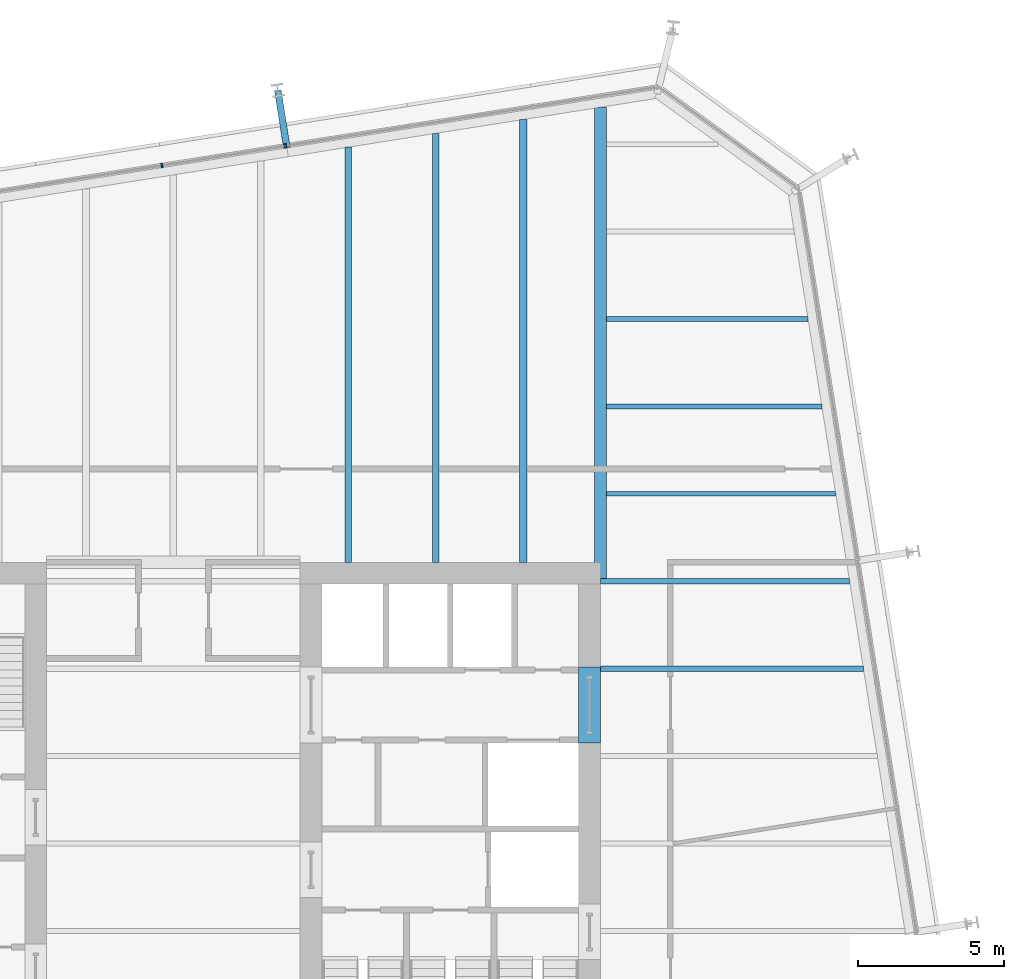
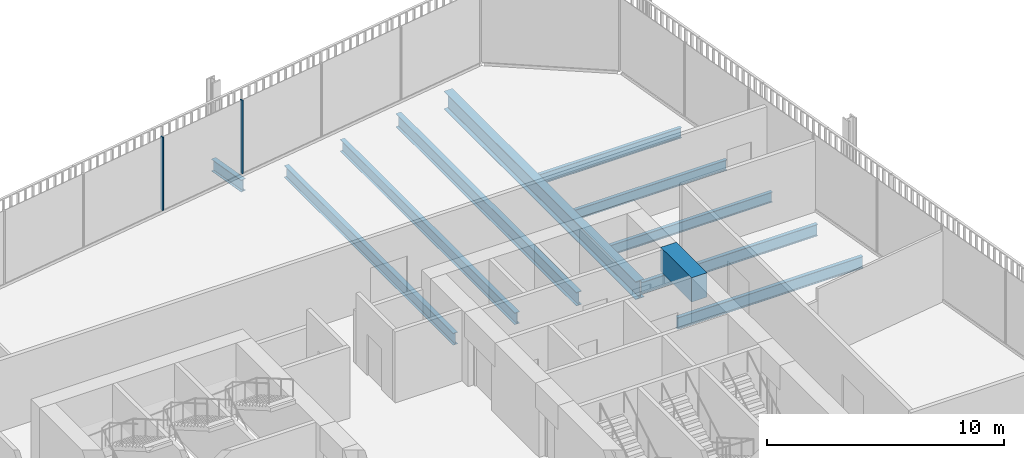
# One storey, part 13 of 21: 11 beams, 2 members, 1 element without a shape of its own.
"""IFC4 building model written with IfcOpenShell, lengths in metres."""

from ifc_helpers import new_model, si_unit, direction, frame, origin, origin_2d, place, context, subcontext, project, spatial, rectangle, i_section, extrude, material, layer, layer_set, material_profile, profile_set, type_object, element, aggregate, save


model = new_model("IFC4")

# Units and contexts
model_context = context("Model", 3, precision=1e-05, world=origin(), true_north=direction((0.0, 1.0)))
body_context = subcontext(model_context, "Body", "Model", "MODEL_VIEW")
ifc_project = project(units=[si_unit("LENGTHUNIT", "METRE"), si_unit("AREAUNIT", "SQUARE_METRE"), si_unit("VOLUMEUNIT", "CUBIC_METRE"), si_unit("PLANEANGLEUNIT", "RADIAN"), si_unit("MASSUNIT", "GRAM", prefix="KILO")], contexts=[model_context])

# Site, building, storey
site_placement = place(None, origin())
site = spatial("IfcSite", under=ifc_project, at=site_placement, CompositionType="ELEMENT")
building_placement = place(site_placement, origin())
building = spatial("IfcBuilding", under=site, at=building_placement, Name="Millrace Tower", CompositionType="ELEMENT")
storey_placement = place(building_placement, frame((0.0, 0.0, 191.699951171875)))
storey = spatial("IfcBuildingStorey", under=building, at=storey_placement, Name="L43", CompositionType="ELEMENT", Elevation=191.699951171875)

# Curtain wall, members
ifc_material_1 = material(Name="Aluminium and glass", Category="aluminium")
ifc_layer = layer(ifc_material_1, 0.14990234375)
ifc_layer_set = layer_set([ifc_layer], Name="Aluminium and glass")
curtain_wall_type = type_object("IfcCurtainWallType", Name="CW-1 office vision curtain wall", PredefinedType="NOTDEFINED", material=ifc_layer_set)
curtain_wall_placement = place(storey_placement, origin())
curtain_wall = element("IfcCurtainWall", 1, at=curtain_wall_placement, inside=storey, type_object=curtain_wall_type, Name="Curtain wall C-F06 L43", PredefinedType="NOTDEFINED")
ifc_material_2 = material(Name="Aluminium", Category="aluminium")
ifc_material_profile_1 = material_profile(ifc_material_2, rectangle(XDim=0.06494140625, YDim=0.14990234375, at=origin_2d()))
ifc_profile_set_1 = profile_set([ifc_material_profile_1], Name="Aluminium")
member_type = type_object("IfcMemberType", Name="CW-1 office vision curtain wall mullion", PredefinedType="MULLION", material=ifc_profile_set_1)
member_1_placement = place(storey_placement, frame((3.8505859375, 23.938720703125, 0.14013671875), z_axis=(0.0, 0.0, 1.0), x_axis=(-0.98768833929, -0.15643447328, 0.0)))
member_1 = element("IfcMember", 2, at=member_1_placement, type_object=member_type, Name="CW1 mullion C-F06.4", PredefinedType="MULLION", context=body_context, shape_type="SweptSolid", body=[
    extrude(rectangle(XDim=0.06494140625, YDim=0.14990234375, at=origin_2d()), origin(), (0.0, 0.0, 1.0), 3.760009765625),
])
member_2_placement = place(storey_placement, frame((-0.396484375, 23.26611328125, 0.14013671875), z_axis=(0.0, 0.0, 1.0), x_axis=(-0.98768833929, -0.15643447328, 0.0)))
member_2 = element("IfcMember", 3, at=member_2_placement, type_object=member_type, Name="CW1 mullion C-F06.5", PredefinedType="MULLION", context=body_context, shape_type="SweptSolid", body=[
    extrude(rectangle(XDim=0.06494140625, YDim=0.14990234375, at=origin_2d()), origin(), (0.0, 0.0, 1.0), 3.760009765625),
])
aggregate(curtain_wall, [member_1, member_2])

# Beams
ifc_material_3 = material(Name="Concrete C70", Category="concrete")
ifc_material_profile_2 = material_profile(ifc_material_3, rectangle(XDim=0.75, YDim=1.25, at=origin_2d()))
ifc_profile_set_2 = profile_set([ifc_material_profile_2], Name="Concrete C70")
beam_type_1 = type_object("IfcBeamType", Name="Coupling beam 750 x 1250 Concrete C70, 2000 opening", PredefinedType="BEAM", material=ifc_profile_set_2)
beam_1_placement = place(storey_placement, frame((14.27490234375, 6.050048828125, 3.025146484375), z_axis=(0.0, -1.0, 0.0), x_axis=(1.0, 0.0, 0.0)))
element("IfcBeam", 4, at=beam_1_placement, inside=storey, type_object=beam_type_1, Name="Coupling beam E L43", PredefinedType="BEAM", context=body_context, shape_type="SweptSolid", body=[
    extrude(rectangle(XDim=0.75, YDim=1.25, at=origin_2d()), origin(), (0.0, 0.0, 1.0), 2.60009765625),
])
ifc_material_4 = material(Name="Steel ASTM A992 Grade 50", Category="steel")
ifc_material_profile_3 = material_profile(ifc_material_4, i_section(OverallWidth=0.1650390625, OverallDepth=0.52587890625, WebThickness=0.0087890625, FlangeThickness=0.011474609375, FilletRadius=0.0126953125, at=origin_2d()))
ifc_profile_set_3 = profile_set([ifc_material_profile_3], Name="Steel ASTM A992 Grade 50")
beam_type_2 = type_object("IfcBeamType", Name="Floor beam W21x44", PredefinedType="JOIST", material=ifc_profile_set_3)
beam_2_placement = place(storey_placement, frame((14.859619140625, 12.0, -0.4228515625), z_axis=(1.0, 0.0, 0.0), x_axis=(0.0, 1.0, 0.0)))
element("IfcBeam", 5, at=beam_2_placement, inside=storey, type_object=beam_type_2, Name="BM-C-L43-S1-S032", PredefinedType="JOIST", context=body_context, shape_type="SweptSolid", body=[
    extrude(i_section(OverallWidth=0.1650390625, OverallDepth=0.52587890625, WebThickness=0.0087890625, FlangeThickness=0.011474609375, FilletRadius=0.0126953125, at=origin_2d()), origin(), (0.0, 0.0, 1.0), 7.8662109375),
])
beam_3_placement = place(storey_placement, frame((14.859619140625, 15.0, -0.4228515625), z_axis=(1.0, 0.0, 0.0), x_axis=(0.0, 1.0, 0.0)))
element("IfcBeam", 6, at=beam_3_placement, inside=storey, type_object=beam_type_2, Name="BM-C-L43-S1-S034", PredefinedType="JOIST", context=body_context, shape_type="SweptSolid", body=[
    extrude(i_section(OverallWidth=0.1650390625, OverallDepth=0.52587890625, WebThickness=0.0087890625, FlangeThickness=0.011474609375, FilletRadius=0.0126953125, at=origin_2d()), origin(), (0.0, 0.0, 1.0), 7.390869140625),
])
beam_4_placement = place(storey_placement, frame((14.859619140625, 18.0, -0.4228515625), z_axis=(1.0, 0.0, 0.0), x_axis=(0.0, 1.0, 0.0)))
element("IfcBeam", 7, at=beam_4_placement, inside=storey, type_object=beam_type_2, Name="BM-C-L43-S1-S036", PredefinedType="JOIST", context=body_context, shape_type="SweptSolid", body=[
    extrude(i_section(OverallWidth=0.1650390625, OverallDepth=0.52587890625, WebThickness=0.0087890625, FlangeThickness=0.011474609375, FilletRadius=0.0126953125, at=origin_2d()), origin(), (0.0, 0.0, 1.0), 6.915771484375),
])
ifc_material_5 = material(Name="Steel ASTM A992 Grade 50", Category="steel")
ifc_material_profile_4 = material_profile(ifc_material_5, i_section(OverallWidth=0.177978515625, OverallDepth=0.599365234375, WebThickness=0.010009765625, FlangeThickness=0.012939453125, FilletRadius=0.012939453125, at=origin_2d()))
ifc_profile_set_4 = profile_set([ifc_material_profile_4], Name="Steel ASTM A992 Grade 50")
beam_type_3 = type_object("IfcBeamType", Name="Floor beam W24x55", PredefinedType="JOIST", material=ifc_profile_set_4)
beam_5_placement = place(storey_placement, frame((14.64990234375, 6.0, -0.459716796875), z_axis=(1.0, 0.0, 0.0), x_axis=(0.0, 1.0, 0.0)))
element("IfcBeam", 8, at=beam_5_placement, inside=storey, type_object=beam_type_3, Name="BM-C-L43-S1-S027", PredefinedType="JOIST", context=body_context, shape_type="SweptSolid", body=[
    extrude(i_section(OverallWidth=0.177978515625, OverallDepth=0.599365234375, WebThickness=0.010009765625, FlangeThickness=0.012939453125, FilletRadius=0.012939453125, at=origin_2d()), origin(), (0.0, 0.0, 1.0), 9.026123046875),
])
beam_6_placement = place(storey_placement, frame((14.64990234375, 9.0, -0.459716796875), z_axis=(1.0, 0.0, 0.0), x_axis=(0.0, 1.0, 0.0)))
element("IfcBeam", 9, at=beam_6_placement, inside=storey, type_object=beam_type_3, Name="BM-C-L43-S1-S030", PredefinedType="JOIST", context=body_context, shape_type="SweptSolid", body=[
    extrude(i_section(OverallWidth=0.177978515625, OverallDepth=0.599365234375, WebThickness=0.010009765625, FlangeThickness=0.012939453125, FilletRadius=0.012939453125, at=origin_2d()), origin(), (0.0, 0.0, 1.0), 8.551025390625),
])
ifc_material_6 = material(Name="Steel ASTM A992 Grade 50", Category="steel")
ifc_material_profile_5 = material_profile(ifc_material_6, i_section(OverallWidth=0.228271484375, OverallDepth=0.607177734375, WebThickness=0.01123046875, FlangeThickness=0.017333984375, FilletRadius=0.0126953125, at=origin_2d()))
ifc_profile_set_5 = profile_set([ifc_material_profile_5], Name="Steel ASTM A992 Grade 50")
beam_type_4 = type_object("IfcBeamType", Name="Floor beam W24x76", PredefinedType="JOIST", material=ifc_profile_set_5)
beam_7_placement = place(storey_placement, frame((6.0, 9.64990234375, -0.46337890625), z_axis=(0.0, 1.0, 0.0), x_axis=(-1.0, 0.0, 0.0)))
element("IfcBeam", 10, at=beam_7_placement, inside=storey, type_object=beam_type_4, Name="BM-C-L43-S1-S051", PredefinedType="JOIST", context=body_context, shape_type="SweptSolid", body=[
    extrude(i_section(OverallWidth=0.228271484375, OverallDepth=0.607177734375, WebThickness=0.01123046875, FlangeThickness=0.017333984375, FilletRadius=0.0126953125, at=origin_2d()), origin(), (0.0, 0.0, 1.0), 14.2421875),
])
beam_8_placement = place(storey_placement, frame((9.0, 9.64990234375, -0.46337890625), z_axis=(0.0, 1.0, 0.0), x_axis=(-1.0, 0.0, 0.0)))
element("IfcBeam", 11, at=beam_8_placement, inside=storey, type_object=beam_type_4, Name="BM-C-L43-S1-S053", PredefinedType="JOIST", context=body_context, shape_type="SweptSolid", body=[
    extrude(i_section(OverallWidth=0.228271484375, OverallDepth=0.607177734375, WebThickness=0.01123046875, FlangeThickness=0.017333984375, FilletRadius=0.0126953125, at=origin_2d()), origin(), (0.0, 0.0, 1.0), 14.71728515625),
])
ifc_material_7 = material(Name="Steel ASTM A992 Grade 50", Category="steel")
ifc_material_profile_6 = material_profile(ifc_material_7, i_section(OverallWidth=0.256591796875, OverallDepth=0.693359375, WebThickness=0.014404296875, FlangeThickness=0.023681640625, FilletRadius=0.01513671875, at=origin_2d()))
ifc_profile_set_6 = profile_set([ifc_material_profile_6], Name="Steel ASTM A992 Grade 50")
beam_type_5 = type_object("IfcBeamType", Name="Floor beam W27x114", PredefinedType="JOIST", material=ifc_profile_set_6)
beam_9_placement = place(storey_placement, frame((12.0, 9.64990234375, -0.506591796875), z_axis=(0.0, 1.0, 0.0), x_axis=(-1.0, 0.0, 0.0)))
element("IfcBeam", 12, at=beam_9_placement, inside=storey, type_object=beam_type_5, Name="BM-C-L43-S1-S055", PredefinedType="JOIST", context=body_context, shape_type="SweptSolid", body=[
    extrude(i_section(OverallWidth=0.256591796875, OverallDepth=0.693359375, WebThickness=0.014404296875, FlangeThickness=0.023681640625, FilletRadius=0.01513671875, at=origin_2d()), origin(), (0.0, 0.0, 1.0), 15.1923828125),
])
ifc_material_8 = material(Name="Steel ASTM A992 Grade 50", Category="steel")
ifc_material_profile_7 = material_profile(ifc_material_8, i_section(OverallWidth=0.419189453125, OverallDepth=0.927001953125, WebThickness=0.019287109375, FlangeThickness=0.031982421875, FilletRadius=0.024169921875, at=origin_2d()))
ifc_profile_set_7 = profile_set([ifc_material_profile_7], Name="Steel ASTM A992 Grade 50")
beam_type_6 = type_object("IfcBeamType", Name="Girder medium span W36x231", PredefinedType="BEAM", material=ifc_profile_set_7)
beam_10_placement = place(storey_placement, frame((14.64990234375, 9.090087890625, -0.62353515625), z_axis=(0.0, 1.0, 0.0), x_axis=(-1.0, 0.0, 0.0)))
element("IfcBeam", 13, at=beam_10_placement, inside=storey, type_object=beam_type_6, Name="BM-C-L43-S1-G059", PredefinedType="BEAM", context=body_context, shape_type="SweptSolid", body=[
    extrude(i_section(OverallWidth=0.419189453125, OverallDepth=0.927001953125, WebThickness=0.019287109375, FlangeThickness=0.031982421875, FilletRadius=0.024169921875, at=origin_2d()), origin(), (0.0, 0.0, 1.0), 16.1640625),
])
ifc_material_9 = material(Name="Steel ASTM A992 Grade 50", Category="steel")
ifc_material_profile_8 = material_profile(ifc_material_9, i_section(OverallWidth=0.23046875, OverallDepth=0.6171875, WebThickness=0.01318359375, FlangeThickness=0.022216796875, FilletRadius=0.012939453125, at=origin_2d()))
ifc_profile_set_8 = profile_set([ifc_material_profile_8], Name="Steel ASTM A992 Grade 50")
beam_type_7 = type_object("IfcBeamType", Name="Link beam W24x94", PredefinedType="BEAM", material=ifc_profile_set_8)
beam_11_placement = place(storey_placement, frame((3.894287109375, 23.86962890625, -0.468505859375), z_axis=(-0.15637629034, 0.987697552806, 0.0), x_axis=(-0.987697552806, -0.15637629034, 0.0)))
element("IfcBeam", 14, at=beam_11_placement, inside=storey, type_object=beam_type_7, Name="LNK-C-L43-S1-07", PredefinedType="BEAM", context=body_context, shape_type="SweptSolid", body=[
    extrude(i_section(OverallWidth=0.23046875, OverallDepth=0.6171875, WebThickness=0.01318359375, FlangeThickness=0.022216796875, FilletRadius=0.012939453125, at=origin_2d()), origin(), (0.0, 0.0, 1.0), 2.0),
])

save(model, "model.ifc")
